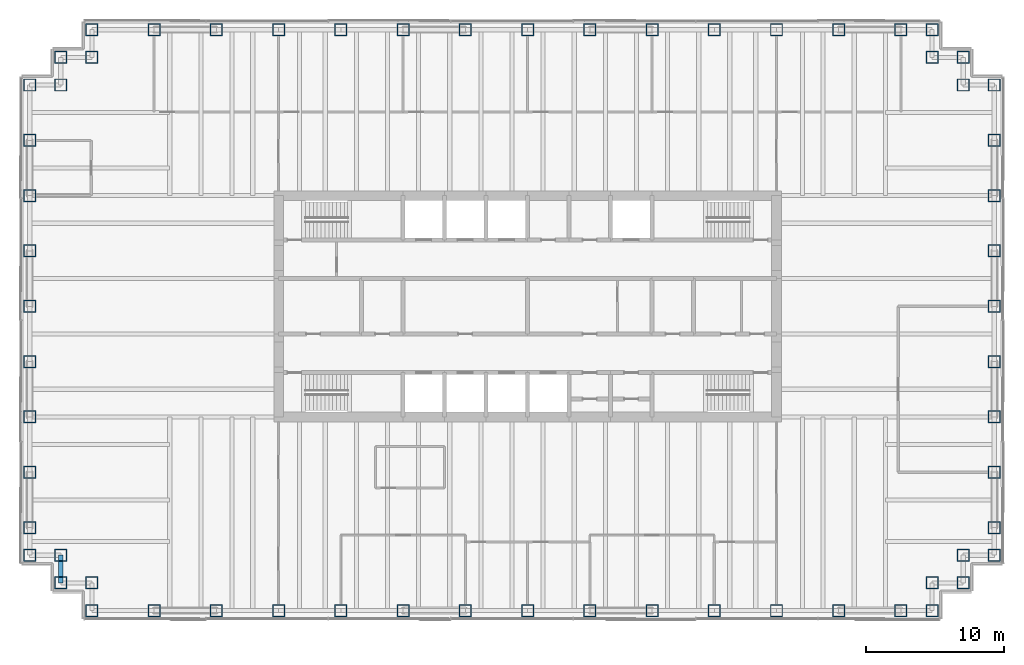
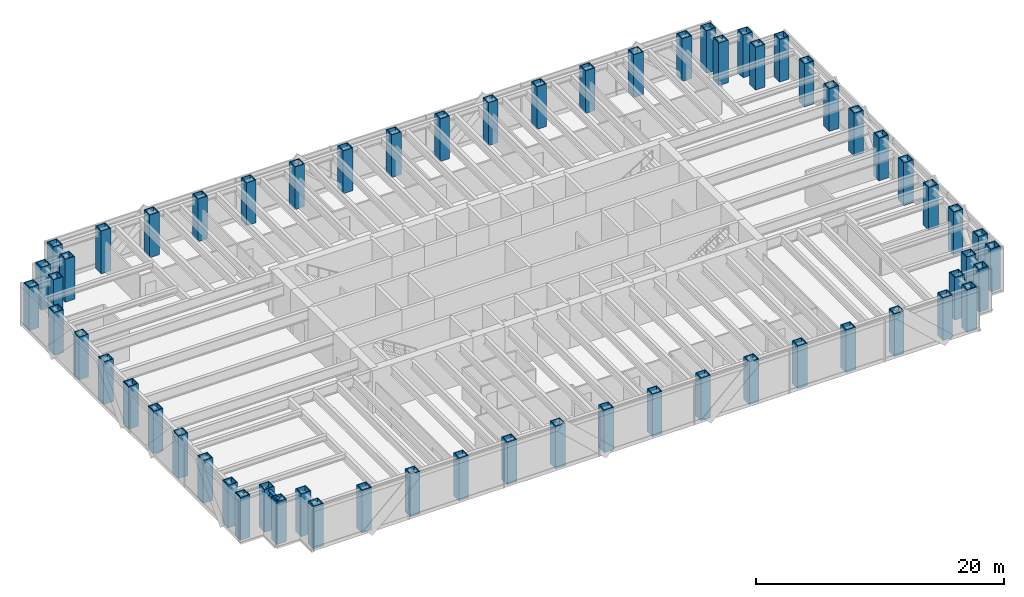
# One storey, part 1 of 15: 62 columns, 1 beam.
"""IFC4 building model written with IfcOpenShell, lengths in metres."""

import ifcopenshell
import ifcopenshell.guid

model = None  # the IFC model being written
_history = None  # IfcOwnerHistory: only IFC2X3 demands one
_inside = {}  # id of a spatial element -> (the spatial element, [elements in it])
_under = {}  # id of a project, library or spatial element -> (it, [spatial elements below it])
_declared = {}  # id of a project -> (the project, [libraries it declares])
_typed = {}  # id of a type object -> (the type object, [elements of that type])
_made_of = {}  # id of a material, layer set ... -> (it, [elements and type objects made of it])


def new_model(schema):
    """Start an empty IFC model of exactly this schema.

    Asked for "IFC4X3", IfcOpenShell would pick the latest addendum, in which some entities
    have other attributes; the version numbers below select the first issue.
    IFC2X3 requires an IfcOwnerHistory on every rooted entity: one is made here for all.
    """
    global model, _history
    if schema == "IFC4X3":
        model = ifcopenshell.file(schema_version=(4, 3, 0, 0))
    else:
        model = ifcopenshell.file(schema=schema)
    _inside.clear()
    _under.clear()
    _declared.clear()
    _typed.clear()
    _made_of.clear()
    _history = None
    if model.schema == "IFC2X3":
        org = make("IfcOrganization", Name="unknown")
        user = make(
            "IfcPersonAndOrganization",
            ThePerson=make("IfcPerson", FamilyName="unknown"),
            TheOrganization=org,
        )
        app = make(
            "IfcApplication",
            ApplicationDeveloper=org,
            Version="unknown",
            ApplicationFullName="unknown",
            ApplicationIdentifier="unknown",
        )
        _history = make(
            "IfcOwnerHistory",
            OwningUser=user,
            OwningApplication=app,
            ChangeAction="ADDED",
            CreationDate=0,
        )
    return model


def make(cls, **values):
    """One entity of the class cls with the attributes given. An attribute that is None is left unset."""
    return model.create_entity(
        cls, **{name: value for name, value in values.items() if value is not None}
    )


def rooted(cls, **values):
    """An entity with a GlobalId (a new one), such as an element, a storey or a relation."""
    return make(cls, GlobalId=ifcopenshell.guid.new(), OwnerHistory=_history, **values)


def si_unit(unit_type, name, prefix=None):
    """IfcSIUnit, for example si_unit("LENGTHUNIT", "METRE", prefix="MILLI")."""
    return make("IfcSIUnit", UnitType=unit_type, Prefix=prefix, Name=name)


def assignment(units):
    """IfcUnitAssignment: the units of a project."""
    return None if units is None else make("IfcUnitAssignment", Units=units)


def point(xyz):
    """IfcCartesianPoint."""
    return None if xyz is None else make("IfcCartesianPoint", Coordinates=xyz)


def direction(xyz):
    """IfcDirection."""
    return None if xyz is None else make("IfcDirection", DirectionRatios=xyz)


def frame(location, z_axis=None, x_axis=None):
    """IfcAxis2Placement3D, a coordinate frame: its origin and axes. An axis left out is left unset."""
    return make(
        "IfcAxis2Placement3D",
        Location=point(location),
        Axis=direction(z_axis),
        RefDirection=direction(x_axis),
    )


def frame_2d(location, x_axis=None):
    """IfcAxis2Placement2D, a coordinate frame in the plane: its origin and x axis."""
    return make(
        "IfcAxis2Placement2D", Location=point(location), RefDirection=direction(x_axis)
    )


def origin():
    """The frame at (0, 0, 0) with its axes left unset."""
    return frame((0.0, 0.0, 0.0))


def origin_2d():
    """The frame at (0, 0) in the plane with its x axis left unset."""
    return frame_2d((0.0, 0.0))


def place(relative_to, where):
    """IfcLocalPlacement: puts the frame where relative to a parent placement (None: the world)."""
    return make(
        "IfcLocalPlacement", PlacementRelTo=relative_to, RelativePlacement=where
    )


def context(
    kind, dimensions, precision=None, world=None, true_north=None, identifier=None
):
    """IfcGeometricRepresentationContext, for example the 3D "Model" context."""
    return make(
        "IfcGeometricRepresentationContext",
        ContextIdentifier=identifier,
        ContextType=kind,
        CoordinateSpaceDimension=dimensions,
        Precision=precision,
        WorldCoordinateSystem=world,
        TrueNorth=true_north,
    )


def subcontext(parent, identifier, kind, view, scale=None):
    """IfcGeometricRepresentationSubContext, for example "Body" below "Model"."""
    return make(
        "IfcGeometricRepresentationSubContext",
        ContextIdentifier=identifier,
        ContextType=kind,
        ParentContext=parent,
        TargetScale=scale,
        TargetView=view,
    )


def project(units=None, contexts=None):
    """IfcProject with its units and contexts."""
    return rooted(
        "IfcProject",
        Name="project",
        RepresentationContexts=contexts,
        UnitsInContext=assignment(units),
    )


def spatial(cls, under=None, at=None, **own):
    """A site, building, storey or space (cls), placed at a placement, below another one or the project."""
    s = rooted(cls, ObjectPlacement=at, **own)
    if under is not None:
        _under.setdefault(under.id(), (under, []))[1].append(s)
    return s


def profile(cls, at=None, kind="AREA", **sizes):
    """A parametric profile (cls). Its sizes go by their IFC names, for example OverallWidth=200.0."""
    return make(cls, ProfileType=kind, Position=at, **sizes)


def hollow_rectangle(**sizes):
    """IfcRectangleHollowProfileDef."""
    return profile("IfcRectangleHollowProfileDef", **sizes)


def i_section(**sizes):
    """IfcIShapeProfileDef."""
    return profile("IfcIShapeProfileDef", **sizes)


def extrude(swept, where, along, depth):
    """IfcExtrudedAreaSolid: the profile swept, set in the frame where, extruded along a direction by depth."""
    return make(
        "IfcExtrudedAreaSolid",
        SweptArea=swept,
        Position=where,
        ExtrudedDirection=direction(along),
        Depth=depth,
    )


def shape(context_of_items, identifier, shape_type, items):
    """IfcShapeRepresentation: the items that make up one representation, for example the "Body"."""
    return make(
        "IfcShapeRepresentation",
        ContextOfItems=context_of_items,
        RepresentationIdentifier=identifier,
        RepresentationType=shape_type,
        Items=items,
    )


def material(Name=None, Category=None):
    """IfcMaterial."""
    return make("IfcMaterial", Name=Name, Category=Category)


def material_profile(
    of_material, cross_section, Name=None, Category=None, Priority=None
):
    """IfcMaterialProfile: a cross section and its material."""
    return make(
        "IfcMaterialProfile",
        Name=Name,
        Material=of_material,
        Profile=cross_section,
        Priority=Priority,
        Category=Category,
    )


def profile_set(profiles, Name=None, composite=None):
    """IfcMaterialProfileSet."""
    return make(
        "IfcMaterialProfileSet",
        Name=Name,
        MaterialProfiles=profiles,
        CompositeProfile=composite,
    )


def made_of(thing, what):
    """Note that an element or type object is made of a material, layer set ...; save() writes the relation."""
    if what is not None:
        _made_of.setdefault(what.id(), (what, []))[1].append(thing)
    return thing


def type_object(cls, material=None, **own):
    """A type object (cls), such as IfcWallType, which elements share."""
    return made_of(rooted(cls, **own), material)


def element(
    cls,
    number,
    at=None,
    inside=None,
    cuts=None,
    type_object=None,
    material=None,
    context=None,
    identifier="Body",
    shape_type=None,
    held_by="IfcProductDefinitionShape",
    body=None,
    shapes=None,
    **own,
):
    """One element of the class cls, such as IfcWall. Its Tag is "e" and its number.

    at: its placement. inside: the storey or other place that contains it. cuts: it is an
    opening in that element (IfcRelVoidsElement). A single representation is given by context,
    identifier, shape_type and body (its items); several are given by shapes. held_by: the class
    of the entity that holds the representations. save() writes the other relations.
    """
    e = rooted(cls, Tag="e%d" % number, ObjectPlacement=at, **own)
    if body is not None:
        shapes = [shape(context, identifier, shape_type, body)]
    if shapes is not None:
        e.Representation = make(held_by, Representations=shapes)
    if inside is not None:
        _inside.setdefault(inside.id(), (inside, []))[1].append(e)
    if cuts is not None:
        rooted(
            "IfcRelVoidsElement", RelatingBuildingElement=cuts, RelatedOpeningElement=e
        )
    if type_object is not None:
        _typed.setdefault(type_object.id(), (type_object, []))[1].append(e)
    return made_of(e, material)


def aggregate(whole, parts):
    """IfcRelAggregates: a whole, such as a stair, and the parts it consists of."""
    return rooted("IfcRelAggregates", RelatingObject=whole, RelatedObjects=parts)


def save(model, path):
    """Write the relations noted so far, then the file.

    IfcRelAggregates (storeys below a building ...), IfcRelContainedInSpatialStructure (elements
    in a storey), IfcRelDefinesByType, IfcRelAssociatesMaterial and IfcRelDeclares: one each for
    every whole, place, type object, material and project.
    """
    for whole, parts in _under.values():
        aggregate(whole, parts)
    for where, things in _inside.values():
        rooted(
            "IfcRelContainedInSpatialStructure",
            RelatedElements=things,
            RelatingStructure=where,
        )
    for kind, things in _typed.values():
        rooted("IfcRelDefinesByType", RelatedObjects=things, RelatingType=kind)
    for what, things in _made_of.values():
        rooted("IfcRelAssociatesMaterial", RelatedObjects=things, RelatingMaterial=what)
    for by, libraries in _declared.values():
        rooted("IfcRelDeclares", RelatingContext=by, RelatedDefinitions=libraries)
    model.write(path)


model = new_model("IFC4")

# Units and contexts
model_context = context("Model", 3, precision=1e-05, world=origin(), true_north=direction((0.0, 1.0)))
body_context = subcontext(model_context, "Body", "Model", "MODEL_VIEW")
ifc_project = project(units=[si_unit("LENGTHUNIT", "METRE"), si_unit("AREAUNIT", "SQUARE_METRE"), si_unit("VOLUMEUNIT", "CUBIC_METRE"), si_unit("PLANEANGLEUNIT", "RADIAN"), si_unit("MASSUNIT", "GRAM", prefix="KILO")], contexts=[model_context])

# Site, building, storey
site_placement = place(None, origin())
site = spatial("IfcSite", under=ifc_project, at=site_placement, CompositionType="ELEMENT")
building_placement = place(site_placement, origin())
building = spatial("IfcBuilding", under=site, at=building_placement, Name="Rheinbord Bourse Tower", CompositionType="ELEMENT")
storey_placement = place(building_placement, frame((0.0, 0.0, 279.5)))
storey = spatial("IfcBuildingStorey", under=building, at=storey_placement, Name="L63", CompositionType="ELEMENT", Elevation=279.5)

# Columns
ifc_material_1 = material(Name="Steel S460M", Category="steel")
ifc_material_profile_1 = material_profile(ifc_material_1, hollow_rectangle(XDim=0.89990234375, YDim=0.89990234375, WallThickness=0.070068359375, at=origin_2d()), Name="BOX 900x900x70")
ifc_profile_set_1 = profile_set([ifc_material_profile_1], Name="Steel S460M")
column_type = type_object("IfcColumnType", Name="TUBE COLUMN BOX 900x900x70", PredefinedType="COLUMN", material=ifc_profile_set_1)
for number, where, z_axis, x_axis, name in (
    (1, (4.5, 2.0, 0.0), (0.0, 0.0, 1.0), (0.0, 1.0, 0.0), "Column SW-E L63"),
    (2, (9.0, 2.0, 0.0), (0.0, 0.0, 1.0), (0.0, 1.0, 0.0), "Column S-9 L63"),
    (3, (13.5, 2.0, 0.0), (0.0, 0.0, 1.0), (0.0, 1.0, 0.0), "Column S-13.5 L63"),
    (4, (18.0, 2.0, 0.0), (0.0, 0.0, 1.0), (0.0, 1.0, 0.0), "Column S-18 L63"),
    (5, (22.5, 2.0, 0.0), (0.0, 0.0, 1.0), (0.0, 1.0, 0.0), "Column S-22.5 L63"),
    (6, (27.0, 2.0, 0.0), (0.0, 0.0, 1.0), (0.0, 1.0, 0.0), "Column S-27 L63"),
    (7, (31.5, 2.0, 0.0), (0.0, 0.0, 1.0), (0.0, 1.0, 0.0), "Column S-31.5 L63"),
    (8, (36.0, 2.0, 0.0), (0.0, 0.0, 1.0), (0.0, 1.0, 0.0), "Column S-36 L63"),
    (9, (40.5, 2.0, 0.0), (0.0, 0.0, 1.0), (0.0, 1.0, 0.0), "Column S-40.5 L63"),
    (10, (45.0, 2.0, 0.0), (0.0, 0.0, 1.0), (0.0, 1.0, 0.0), "Column S-45 L63"),
    (11, (49.5, 2.0, 0.0), (0.0, 0.0, 1.0), (0.0, 1.0, 0.0), "Column S-49.5 L63"),
    (12, (54.0, 2.0, 0.0), (0.0, 0.0, 1.0), (0.0, 1.0, 0.0), "Column S-54 L63"),
    (13, (58.5, 2.0, 0.0), (0.0, 0.0, 1.0), (0.0, 1.0, 0.0), "Column S-58.5 L63"),
    (14, (63.0, 2.0, 0.0), (0.0, 0.0, 1.0), (0.0, 1.0, 0.0), "Column S-63 L63"),
    (15, (65.25, 2.0, 0.0), (0.0, 0.0, 1.0), (0.0, 1.0, 0.0), "Column SE-E L63"),
    (16, (65.25, 4.0, 0.0), (0.0, 0.0, 1.0), (0.0, 1.0, 0.0), "Column SE-D L63"),
    (17, (67.5, 4.0, 0.0), (0.0, 0.0, 1.0), (1.0, 0.0, 0.0), "Column SE-C L63"),
    (18, (67.5, 6.0, 0.0), (0.0, 0.0, 1.0), (1.0, 0.0, 0.0), "Column SE-B L63"),
    (19, (69.75, 6.0, 0.0), (0.0, 0.0, 1.0), (1.0, 0.0, 0.0), "Column SE-A L63"),
    (20, (69.75, 8.0, 0.0), (0.0, 0.0, 1.0), (1.0, 0.0, 0.0), "Column E-8 L63"),
    (21, (69.75, 12.0, 0.0), (0.0, 0.0, 1.0), (1.0, 0.0, 0.0), "Column E-12 L63"),
    (22, (69.75, 16.0, 0.0), (0.0, 0.0, 1.0), (1.0, 0.0, 0.0), "Column E-16 L63"),
    (23, (69.75, 20.0, 0.0), (0.0, 0.0, 1.0), (1.0, 0.0, 0.0), "Column E-20 L63"),
    (24, (69.75, 24.0, 0.0), (0.0, 0.0, 1.0), (1.0, 0.0, 0.0), "Column E-24 L63"),
    (25, (69.75, 28.0, 0.0), (0.0, 0.0, 1.0), (1.0, 0.0, 0.0), "Column E-28 L63"),
    (26, (69.75, 32.0, 0.0), (0.0, 0.0, 1.0), (1.0, 0.0, 0.0), "Column E-32 L63"),
    (27, (69.75, 36.0, 0.0), (0.0, 0.0, 1.0), (1.0, 0.0, 0.0), "Column E-36 L63"),
    (28, (69.75, 40.0, 0.0), (0.0, 0.0, 1.0), (1.0, 0.0, 0.0), "Column NE-A L63"),
    (29, (67.5, 40.0, 0.0), (0.0, 0.0, 1.0), (1.0, 0.0, 0.0), "Column NE-B L63"),
    (30, (67.5, 42.0, 0.0), (0.0, 0.0, 1.0), (1.0, 0.0, 0.0), "Column NE-C L63"),
    (31, (65.25, 42.0, 0.0), (0.0, 0.0, 1.0), (0.0, 1.0, 0.0), "Column NE-D L63"),
    (32, (65.25, 44.0, 0.0), (0.0, 0.0, 1.0), (0.0, 1.0, 0.0), "Column NE-E L63"),
    (33, (63.0, 44.0, 0.0), (0.0, 0.0, 1.0), (0.0, 1.0, 0.0), "Column N-63 L63"),
    (34, (58.5, 44.0, 0.0), (0.0, 0.0, 1.0), (0.0, 1.0, 0.0), "Column N-58.5 L63"),
    (35, (54.0, 44.0, 0.0), (0.0, 0.0, 1.0), (0.0, 1.0, 0.0), "Column N-54 L63"),
    (36, (49.5, 44.0, 0.0), (0.0, 0.0, 1.0), (0.0, 1.0, 0.0), "Column N-49.5 L63"),
    (37, (45.0, 44.0, 0.0), (0.0, 0.0, 1.0), (0.0, 1.0, 0.0), "Column N-45 L63"),
    (38, (40.5, 44.0, 0.0), (0.0, 0.0, 1.0), (0.0, 1.0, 0.0), "Column N-40.5 L63"),
    (39, (36.0, 44.0, 0.0), (0.0, 0.0, 1.0), (0.0, 1.0, 0.0), "Column N-36 L63"),
    (40, (31.5, 44.0, 0.0), (0.0, 0.0, 1.0), (0.0, 1.0, 0.0), "Column N-31.5 L63"),
    (41, (27.0, 44.0, 0.0), (0.0, 0.0, 1.0), (0.0, 1.0, 0.0), "Column N-27 L63"),
    (42, (22.5, 44.0, 0.0), (0.0, 0.0, 1.0), (0.0, 1.0, 0.0), "Column N-22.5 L63"),
    (43, (18.0, 44.0, 0.0), (0.0, 0.0, 1.0), (0.0, 1.0, 0.0), "Column N-18 L63"),
    (44, (13.5, 44.0, 0.0), (0.0, 0.0, 1.0), (0.0, 1.0, 0.0), "Column N-13.5 L63"),
    (45, (9.0, 44.0, 0.0), (0.0, 0.0, 1.0), (0.0, 1.0, 0.0), "Column N-9 L63"),
    (46, (4.5, 44.0, 0.0), (0.0, 0.0, 1.0), (0.0, 1.0, 0.0), "Column NW-E L63"),
    (47, (4.5, 42.0, 0.0), (0.0, 0.0, 1.0), (0.0, 1.0, 0.0), "Column NW-D L63"),
    (48, (2.25, 42.0, 0.0), (0.0, 0.0, 1.0), (1.0, 0.0, 0.0), "Column NW-C L63"),
    (49, (2.25, 40.0, 0.0), (0.0, 0.0, 1.0), (1.0, 0.0, 0.0), "Column NW-B L63"),
    (50, (0.0, 40.0, 0.0), (0.0, 0.0, 1.0), (1.0, 0.0, 0.0), "Column NW-A L63"),
    (51, (0.0, 36.0, 0.0), (0.0, 0.0, 1.0), (1.0, 0.0, 0.0), "Column W-36 L63"),
    (52, (0.0, 32.0, 0.0), (0.0, 0.0, 1.0), (1.0, 0.0, 0.0), "Column W-32 L63"),
    (53, (0.0, 28.0, 0.0), (0.0, 0.0, 1.0), (1.0, 0.0, 0.0), "Column W-28 L63"),
    (54, (0.0, 24.0, 0.0), (0.0, 0.0, 1.0), (1.0, 0.0, 0.0), "Column W-24 L63"),
    (55, (0.0, 20.0, 0.0), (0.0, 0.0, 1.0), (1.0, 0.0, 0.0), "Column W-20 L63"),
    (56, (0.0, 16.0, 0.0), (0.0, 0.0, 1.0), (1.0, 0.0, 0.0), "Column W-16 L63"),
    (57, (0.0, 12.0, 0.0), (0.0, 0.0, 1.0), (1.0, 0.0, 0.0), "Column W-12 L63"),
    (58, (0.0, 8.0, 0.0), (0.0, 0.0, 1.0), (1.0, 0.0, 0.0), "Column W-8 L63"),
    (59, (0.0, 6.0, 0.0), (0.0, 0.0, 1.0), (1.0, 0.0, 0.0), "Column SW-A L63"),
    (60, (2.25, 6.0, 0.0), (0.0, 0.0, 1.0), (1.0, 0.0, 0.0), "Column SW-B L63"),
    (61, (2.25, 4.0, 0.0), (0.0, 0.0, 1.0), (1.0, 0.0, 0.0), "Column SW-C L63"),
    (62, (4.5, 4.0, 0.0), (0.0, 0.0, 1.0), (0.0, 1.0, 0.0), "Column SW-D L63"),
):
    element("IfcColumn", number, at=place(storey_placement, frame(where, z_axis=z_axis, x_axis=x_axis)), inside=storey, type_object=column_type, Name=name, PredefinedType="COLUMN", context=body_context, shape_type="SweptSolid", body=[
        extrude(hollow_rectangle(XDim=0.89990234375, YDim=0.89990234375, WallThickness=0.070068359375, at=origin_2d()), origin(), (0.0, 0.0, 1.0), 4.199951171875),
    ])

# Beam
ifc_material_2 = material(Name="Steel S460", Category="steel")
ifc_material_profile_2 = material_profile(ifc_material_2, i_section(OverallWidth=0.300048828125, OverallDepth=0.550048828125, WebThickness=0.014892578125, FlangeThickness=0.029052734375, at=origin_2d()), Name="HEB 550")
ifc_profile_set_2 = profile_set([ifc_material_profile_2], Name="Steel S460")
beam_type = type_object("IfcBeamType", Name="SPANDREL HEB 550", PredefinedType="SPANDREL", material=ifc_profile_set_2)
beam_placement = place(storey_placement, frame((2.25, 6.0, 3.764892578125), z_axis=(0.0, -1.0, 0.0), x_axis=(1.0, 0.0, 0.0)))
element("IfcBeam", 63, at=beam_placement, inside=storey, type_object=beam_type, Name="Spandrel SW-B-SW-C under L64", PredefinedType="SPANDREL", context=body_context, shape_type="SweptSolid", body=[
    extrude(i_section(OverallWidth=0.300048828125, OverallDepth=0.550048828125, WebThickness=0.014892578125, FlangeThickness=0.029052734375, at=origin_2d()), origin(), (0.0, 0.0, 1.0), 2.0),
])

save(model, "model.ifc")
